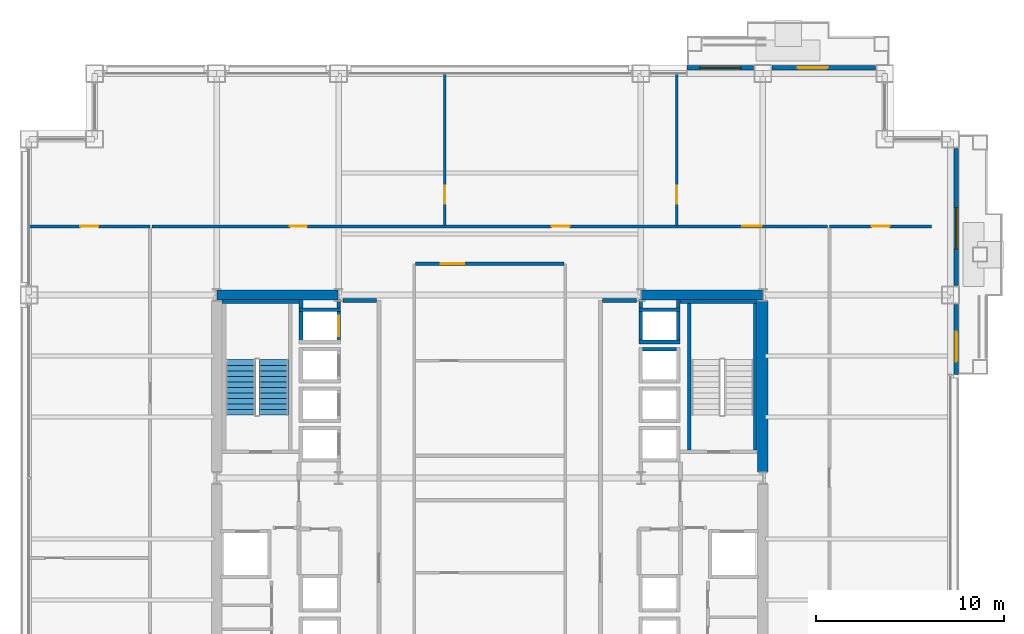
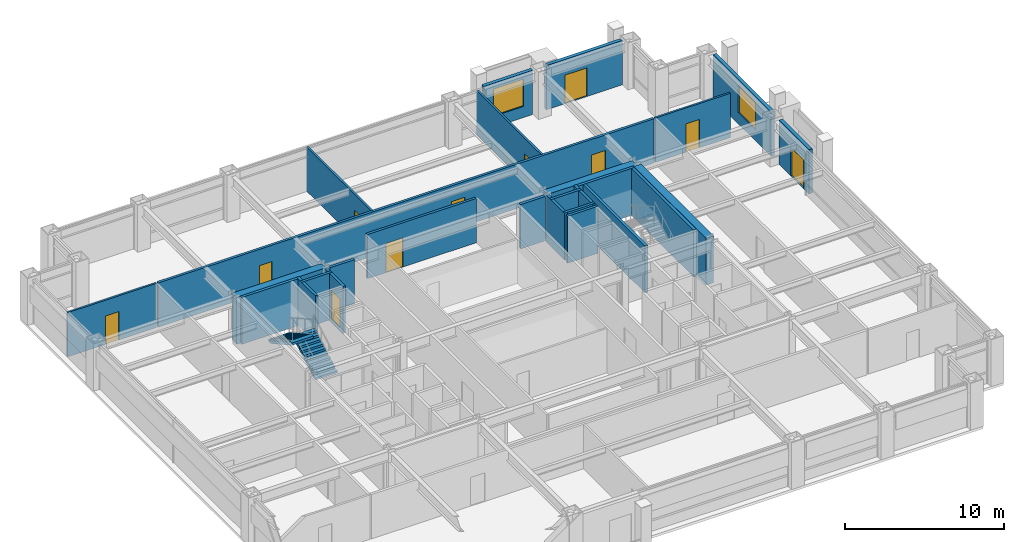
# One storey, part 27 of 31: 27 walls, 11 doors, 2 stair flights, 2 windows, 13 openings, 1 element without a shape of its own.
"""IFC4 building model written with IfcOpenShell, lengths in metres."""

from ifc_helpers import new_model, si_unit, direction, frame, frame_2d, origin, place, context, subcontext, project, spatial, polyline, rectangle, outline, extrude, material, layer, layer_set, type_object, element, fill, aggregate, save


model = new_model("IFC4")

# Units and contexts
model_context = context("Model", 3, precision=1e-05, world=origin(), true_north=direction((0.0, 1.0)))
body_context = subcontext(model_context, "Body", "Model", "MODEL_VIEW")
ifc_project = project(units=[si_unit("LENGTHUNIT", "METRE"), si_unit("AREAUNIT", "SQUARE_METRE"), si_unit("VOLUMEUNIT", "CUBIC_METRE"), si_unit("PLANEANGLEUNIT", "RADIAN"), si_unit("MASSUNIT", "GRAM", prefix="KILO")], contexts=[model_context])

# Site, building, storey
site_placement = place(None, origin())
site = spatial("IfcSite", under=ifc_project, at=site_placement, CompositionType="ELEMENT")
building_placement = place(site_placement, origin())
building = spatial("IfcBuilding", under=site, at=building_placement, Name="Brelmoor Portico Tower", CompositionType="ELEMENT")
storey_placement = place(building_placement, frame((0.0, 0.0, 42.0)))
storey = spatial("IfcBuildingStorey", under=building, at=storey_placement, Name="L10", CompositionType="ELEMENT", Elevation=42.0)

# Walls
ifc_material_1 = material(Name="Concrete C60", Category="concrete")
ifc_layer_1 = layer(ifc_material_1, 0.550048828125)
ifc_layer_set_1 = layer_set([ifc_layer_1], Name="Concrete C60")
wall_type_1 = type_object("IfcWallType", Name="WL-CORE-550", PredefinedType="SHEAR", material=ifc_layer_set_1)
for number, where, z_axis, x_axis, name in (
    (1, (-14.530029296875, 9.75, -0.199951171875), (0.0, 0.0, 1.0), (1.0, 0.0, 0.0), "L10 WC North Shear Wall"),
    (2, (8.070068359375, 9.75, -0.199951171875), (0.0, 0.0, 1.0), (1.0, 0.0, 0.0), "L10 EC North Shear Wall"),
):
    element("IfcWall", number, at=place(storey_placement, frame(where, z_axis=z_axis, x_axis=x_axis)), inside=storey, type_object=wall_type_1, Name=name, PredefinedType="SHEAR", context=body_context, shape_type="SweptSolid", body=[
        extrude(rectangle(XDim=6.4599609375, YDim=0.550048828125, at=frame_2d((3.22998046875, 0.0))), origin(), (0.0, 0.0, 1.0), 3.599853515625),
    ])
wall_1_placement = place(storey_placement, frame((14.550048828125, 0.324951171875, -0.199951171875), z_axis=(0.0, 0.0, 1.0), x_axis=(0.0, 1.0, 0.0)))
element("IfcWall", 3, at=wall_1_placement, inside=storey, type_object=wall_type_1, Name="L10 EC Outer North Shear Wall", PredefinedType="SHEAR", context=body_context, shape_type="SweptSolid", body=[
    extrude(rectangle(XDim=9.10009765625, YDim=0.550048828125, at=frame_2d((4.550048828125, 0.0))), origin(), (0.0, 0.0, 1.0), 3.599853515625),
])

# Wall, opening, window
ifc_material_2 = material(Name="Precast Concrete C40 Insulated Facade Wall", Category="concrete")
ifc_layer_2 = layer(ifc_material_2, 0.25)
ifc_layer_set_2 = layer_set([ifc_layer_2], Name="Precast Concrete C40 Insulated Facade Wall")
wall_type_2 = type_object("IfcWallType", Name="WL-EXT-250", PredefinedType="STANDARD", material=ifc_layer_set_2)
wall_2_placement = place(storey_placement, frame((10.5, 21.860107421875, 0.0), z_axis=(0.0, 0.0, 1.0), x_axis=(1.0, 0.0, 0.0)))
wall_2 = element("IfcWall", 4, at=wall_2_placement, inside=storey, type_object=wall_type_2, Name="L10 Loggia Threshold Wall N-1", PredefinedType="STANDARD", context=body_context, shape_type="SweptSolid", body=[
    extrude(rectangle(XDim=3.554931640625, YDim=0.25, at=frame_2d((1.77734375, 0.0))), origin(), (0.0, 0.0, 1.0), 3.39990234375),
])
opening_1_placement = place(wall_2_placement, frame((0.699951171875, 0.0, 0.85009765625)))
opening_1 = element("IfcOpeningElement", 5, at=opening_1_placement, cuts=wall_2, Name="Opening W-03B", PredefinedType="OPENING", context=body_context, shape_type="SweptSolid", body=[
    extrude(rectangle(XDim=2.199951171875, YDim=2.10009765625, at=frame_2d((1.10009765625, 1.050048828125))), frame((0.0, 0.135009765625, 0.0), z_axis=(0.0, -1.0, 0.0), x_axis=(1.0, 0.0, 0.0)), (0.0, 0.0, 1.0), 0.27001953125),
])
ifc_material_3 = material(Name="Thermally Broken Aluminium Low-E Window", Category="aluminium")
window_type = type_object("IfcWindowType", Name="WN-LOGGIA-2200x2100", PartitioningType="SINGLE_PANEL", PredefinedType="WINDOW", material=ifc_material_3)
window_1_placement = place(opening_1_placement, origin())
window_1 = element("IfcWindow", 6, at=window_1_placement, inside=storey, type_object=window_type, Name="L10 Loggia Window N", OverallHeight=2.10009765625, OverallWidth=2.199951171875, PartitioningType="SINGLE_PANEL", PredefinedType="WINDOW", context=body_context, shape_type="SweptSolid", body=[
    extrude(rectangle(XDim=2.199951171875, YDim=2.10009765625, at=frame_2d((1.10009765625, 1.050048828125))), frame((0.0, 0.030029296875, 0.0), z_axis=(0.0, -1.0, 0.0), x_axis=(1.0, 0.0, 0.0)), (0.0, 0.0, 1.0), 0.06005859375),
])
fill(opening_1, window_1)

# Wall, opening, door
wall_3_placement = place(storey_placement, frame((15.044921875, 21.860107421875, 0.0), z_axis=(0.0, 0.0, 1.0), x_axis=(1.0, 0.0, 0.0)))
wall_3 = element("IfcWall", 7, at=wall_3_placement, inside=storey, type_object=wall_type_2, Name="L10 Loggia Threshold Wall N-2", PredefinedType="STANDARD", context=body_context, shape_type="SweptSolid", body=[
    extrude(rectangle(XDim=5.510009765625, YDim=0.25, at=frame_2d((2.7548828125, 0.0))), origin(), (0.0, 0.0, 1.0), 3.39990234375),
])
opening_2_placement = place(wall_3_placement, frame((1.35498046875, 0.0, 0.0)))
opening_2 = element("IfcOpeningElement", 8, at=opening_2_placement, cuts=wall_3, Name="Opening D-TB1", PredefinedType="OPENING", context=body_context, shape_type="SweptSolid", body=[
    extrude(rectangle(XDim=1.60009765625, YDim=2.199951171875, at=frame_2d((0.800048828125, 1.10009765625))), frame((0.0, 0.135009765625, 0.0), z_axis=(0.0, -1.0, 0.0), x_axis=(1.0, 0.0, 0.0)), (0.0, 0.0, 1.0), 0.27001953125),
])
ifc_material_4 = material(Name="Double-Leaf Thermally Broken Terrace Door", Category="aluminium")
door_type_1 = type_object("IfcDoorType", Name="DR-BALCONY-1600", OperationType="NOTDEFINED", PredefinedType="DOOR", material=ifc_material_4)
door_1_placement = place(opening_2_placement, origin())
door_1 = element("IfcDoor", 9, at=door_1_placement, inside=storey, type_object=door_type_1, Name="D-0466 L10 Tree Balcony Double Door N", OperationType="DOUBLE_DOOR_SINGLE_SWING", OverallHeight=2.199951171875, OverallWidth=1.60009765625, PredefinedType="DOOR", context=body_context, shape_type="SweptSolid", body=[
    extrude(rectangle(XDim=1.60009765625, YDim=2.199951171875, at=frame_2d((0.800048828125, 1.10009765625))), frame((0.0, 0.02490234375, 0.0), z_axis=(0.0, -1.0, 0.0), x_axis=(1.0, 0.0, 0.0)), (0.0, 0.0, 1.0), 0.050048828125),
])
fill(opening_2, door_1)

wall_4_placement = place(storey_placement, frame((24.860107421875, 5.5, 0.0), z_axis=(0.0, 0.0, 1.0), x_axis=(0.0, 1.0, 0.0)))
wall_4 = element("IfcWall", 10, at=wall_4_placement, inside=storey, type_object=wall_type_2, Name="L10 Loggia Threshold Wall E-1", PredefinedType="STANDARD", context=body_context, shape_type="SweptSolid", body=[
    extrude(rectangle(XDim=3.7548828125, YDim=0.25, at=frame_2d((1.87744140625, 0.0))), origin(), (0.0, 0.0, 1.0), 3.39990234375),
])
opening_3_placement = place(wall_4_placement, frame((0.699951171875, 0.0, 0.0)))
opening_3 = element("IfcOpeningElement", 11, at=opening_3_placement, cuts=wall_4, Name="Opening D-TB1", PredefinedType="OPENING", context=body_context, shape_type="SweptSolid", body=[
    extrude(rectangle(XDim=1.60009765625, YDim=2.199951171875, at=frame_2d((0.800048828125, 1.10009765625))), frame((0.0, 0.135009765625, 0.0), z_axis=(0.0, -1.0, 0.0), x_axis=(1.0, 0.0, 0.0)), (0.0, 0.0, 1.0), 0.27001953125),
])
door_2_placement = place(opening_3_placement, origin())
door_2 = element("IfcDoor", 12, at=door_2_placement, inside=storey, type_object=door_type_1, Name="D-0465 L10 Tree Balcony Double Door E", OperationType="DOUBLE_DOOR_SINGLE_SWING", OverallHeight=2.199951171875, OverallWidth=1.60009765625, PredefinedType="DOOR", context=body_context, shape_type="SweptSolid", body=[
    extrude(rectangle(XDim=1.60009765625, YDim=2.199951171875, at=frame_2d((0.800048828125, 1.10009765625))), frame((0.0, 0.02490234375, 0.0), z_axis=(0.0, -1.0, 0.0), x_axis=(1.0, 0.0, 0.0)), (0.0, 0.0, 1.0), 0.050048828125),
])
fill(opening_3, door_2)

# Wall, opening, window
wall_5_placement = place(storey_placement, frame((24.860107421875, 10.2451171875, 0.0), z_axis=(0.0, 0.0, 1.0), x_axis=(0.0, 1.0, 0.0)))
wall_5 = element("IfcWall", 13, at=wall_5_placement, inside=storey, type_object=wall_type_2, Name="L10 Loggia Threshold Wall E-2", PredefinedType="STANDARD", context=body_context, shape_type="SweptSolid", body=[
    extrude(rectangle(XDim=7.309814453125, YDim=0.25, at=frame_2d((3.65478515625, 0.0))), origin(), (0.0, 0.0, 1.0), 3.39990234375),
])
opening_4_placement = place(wall_5_placement, frame((1.955078125, 0.0, 0.85009765625)))
opening_4 = element("IfcOpeningElement", 14, at=opening_4_placement, cuts=wall_5, Name="Opening W-03B", PredefinedType="OPENING", context=body_context, shape_type="SweptSolid", body=[
    extrude(rectangle(XDim=2.199951171875, YDim=2.10009765625, at=frame_2d((1.10009765625, 1.050048828125))), frame((0.0, 0.135009765625, 0.0), z_axis=(0.0, -1.0, 0.0), x_axis=(1.0, 0.0, 0.0)), (0.0, 0.0, 1.0), 0.27001953125),
])
window_2_placement = place(opening_4_placement, origin())
window_2 = element("IfcWindow", 15, at=window_2_placement, inside=storey, type_object=window_type, Name="L10 Loggia Window E", OverallHeight=2.10009765625, OverallWidth=2.199951171875, PartitioningType="SINGLE_PANEL", PredefinedType="WINDOW", context=body_context, shape_type="SweptSolid", body=[
    extrude(rectangle(XDim=2.199951171875, YDim=2.10009765625, at=frame_2d((1.10009765625, 1.050048828125))), frame((0.0, 0.030029296875, 0.0), z_axis=(0.0, -1.0, 0.0), x_axis=(1.0, 0.0, 0.0)), (0.0, 0.0, 1.0), 0.06005859375),
])
fill(opening_4, window_2)

# Wall, opening, door
ifc_material_5 = material(Name="Insulated Stud Suite Partition", Category="gypsum")
ifc_layer_3 = layer(ifc_material_5, 0.139892578125)
ifc_layer_set_3 = layer_set([ifc_layer_3], Name="Insulated Stud Suite Partition")
wall_type_3 = type_object("IfcWallType", Name="WL-PART-140", PredefinedType="PARTITIONING", material=ifc_layer_set_3)
wall_6_placement = place(storey_placement, frame((-2.38916015625, 13.4599609375, 0.0), z_axis=(0.0, 0.0, 1.0), x_axis=(0.0, 1.0, 0.0)))
wall_6 = element("IfcWall", 16, at=wall_6_placement, inside=storey, type_object=wall_type_3, Name="L10 North Suite Partition 1", PredefinedType="PARTITIONING", context=body_context, shape_type="SweptSolid", body=[
    extrude(rectangle(XDim=8.10009765625, YDim=0.139892578125, at=frame_2d((4.050048828125, 0.0))), origin(), (0.0, 0.0, 1.0), 3.39990234375),
])
opening_5_placement = place(wall_6_placement, frame((1.14990234375, 0.0, 0.0)))
opening_5 = element("IfcOpeningElement", 17, at=opening_5_placement, cuts=wall_6, Name="Opening D-IN2", PredefinedType="OPENING", context=body_context, shape_type="SweptSolid", body=[
    extrude(rectangle(XDim=0.9599609375, YDim=2.179931640625, at=frame_2d((0.47998046875, 1.08984375))), frame((0.0, 0.079833984375, 0.0), z_axis=(0.0, -1.0, 0.0), x_axis=(1.0, 0.0, 0.0)), (0.0, 0.0, 1.0), 0.159912109375),
])
ifc_material_6 = material(Name="Lacquered Timber Suite Door", Category="wood")
door_type_2 = type_object("IfcDoorType", Name="DR-INT-950", OperationType="NOTDEFINED", PredefinedType="DOOR", material=ifc_material_6)
door_3_placement = place(opening_5_placement, origin())
door_3 = element("IfcDoor", 18, at=door_3_placement, inside=storey, type_object=door_type_2, Name="D-0454 L10 North Suite Connecting Door 1", OperationType="SINGLE_SWING_RIGHT", OverallHeight=2.179931640625, OverallWidth=0.9599609375, PredefinedType="DOOR", context=body_context, shape_type="SweptSolid", body=[
    extrude(rectangle(XDim=0.9599609375, YDim=2.179931640625, at=frame_2d((0.47998046875, 1.08984375))), frame((0.0, 0.02490234375, 0.0), z_axis=(0.0, -1.0, 0.0), x_axis=(1.0, 0.0, 0.0)), (0.0, 0.0, 1.0), 0.050048828125),
])
fill(opening_5, door_3)

wall_7_placement = place(storey_placement, frame((9.955078125, 13.4599609375, 0.0), z_axis=(0.0, 0.0, 1.0), x_axis=(0.0, 1.0, 0.0)))
wall_7 = element("IfcWall", 19, at=wall_7_placement, inside=storey, type_object=wall_type_3, Name="L10 North Suite Partition 2", PredefinedType="PARTITIONING", context=body_context, shape_type="SweptSolid", body=[
    extrude(rectangle(XDim=8.10009765625, YDim=0.139892578125, at=frame_2d((4.050048828125, 0.0))), origin(), (0.0, 0.0, 1.0), 3.39990234375),
])
opening_6_placement = place(wall_7_placement, frame((1.14990234375, 0.0, 0.0)))
opening_6 = element("IfcOpeningElement", 20, at=opening_6_placement, cuts=wall_7, Name="Opening D-IN2", PredefinedType="OPENING", context=body_context, shape_type="SweptSolid", body=[
    extrude(rectangle(XDim=0.9599609375, YDim=2.179931640625, at=frame_2d((0.47998046875, 1.08984375))), frame((0.0, 0.079833984375, 0.0), z_axis=(0.0, -1.0, 0.0), x_axis=(1.0, 0.0, 0.0)), (0.0, 0.0, 1.0), 0.159912109375),
])
door_4_placement = place(opening_6_placement, origin())
door_4 = element("IfcDoor", 21, at=door_4_placement, inside=storey, type_object=door_type_2, Name="D-0455 L10 North Suite Connecting Door 2", OperationType="SINGLE_SWING_LEFT", OverallHeight=2.179931640625, OverallWidth=0.9599609375, PredefinedType="DOOR", context=body_context, shape_type="SweptSolid", body=[
    extrude(rectangle(XDim=0.9599609375, YDim=2.179931640625, at=frame_2d((0.47998046875, 1.08984375))), frame((0.0, 0.02490234375, 0.0), z_axis=(0.0, -1.0, 0.0), x_axis=(1.0, 0.0, 0.0)), (0.0, 0.0, 1.0), 0.050048828125),
])
fill(opening_6, door_4)

wall_8_placement = place(storey_placement, frame((-24.56005859375, 13.39990234375, 0.0), z_axis=(0.0, 0.0, 1.0), x_axis=(1.0, 0.0, 0.0)))
wall_8 = element("IfcWall", 22, at=wall_8_placement, inside=storey, type_object=wall_type_3, Name="L10 North Outer Closure WL", PredefinedType="PARTITIONING", context=body_context, shape_type="SweptSolid", body=[
    extrude(rectangle(XDim=6.4599609375, YDim=0.139892578125, at=frame_2d((3.22998046875, 0.0))), origin(), (0.0, 0.0, 1.0), 3.39990234375),
])
opening_7_placement = place(wall_8_placement, frame((2.75, 0.0, 0.0)))
opening_7 = element("IfcOpeningElement", 23, at=opening_7_placement, cuts=wall_8, Name="Opening D-IN2", PredefinedType="OPENING", context=body_context, shape_type="SweptSolid", body=[
    extrude(rectangle(XDim=0.9599609375, YDim=2.179931640625, at=frame_2d((0.47998046875, 1.08984375))), frame((0.0, 0.079833984375, 0.0), z_axis=(0.0, -1.0, 0.0), x_axis=(1.0, 0.0, 0.0)), (0.0, 0.0, 1.0), 0.159912109375),
])
door_5_placement = place(opening_7_placement, origin())
door_5 = element("IfcDoor", 24, at=door_5_placement, inside=storey, type_object=door_type_2, Name="D-0457 L10 WL North Corner Suite Door", OperationType="SINGLE_SWING_LEFT", OverallHeight=2.179931640625, OverallWidth=0.9599609375, PredefinedType="DOOR", context=body_context, shape_type="SweptSolid", body=[
    extrude(rectangle(XDim=0.9599609375, YDim=2.179931640625, at=frame_2d((0.47998046875, 1.08984375))), frame((0.0, 0.02490234375, 0.0), z_axis=(0.0, -1.0, 0.0), x_axis=(1.0, 0.0, 0.0)), (0.0, 0.0, 1.0), 0.050048828125),
])
fill(opening_7, door_5)

wall_9_placement = place(storey_placement, frame((18.10009765625, 13.39990234375, 0.0), z_axis=(0.0, 0.0, 1.0), x_axis=(1.0, 0.0, 0.0)))
wall_9 = element("IfcWall", 25, at=wall_9_placement, inside=storey, type_object=wall_type_3, Name="L10 North Outer Closure ER", PredefinedType="PARTITIONING", context=body_context, shape_type="SweptSolid", body=[
    extrude(rectangle(XDim=5.449951171875, YDim=0.139892578125, at=frame_2d((2.72509765625, 0.0))), origin(), (0.0, 0.0, 1.0), 3.39990234375),
])
opening_8_placement = place(wall_9_placement, frame((2.2451171875, 0.0, 0.0)))
opening_8 = element("IfcOpeningElement", 26, at=opening_8_placement, cuts=wall_9, Name="Opening D-IN2", PredefinedType="OPENING", context=body_context, shape_type="SweptSolid", body=[
    extrude(rectangle(XDim=0.9599609375, YDim=2.179931640625, at=frame_2d((0.47998046875, 1.08984375))), frame((0.0, 0.079833984375, 0.0), z_axis=(0.0, -1.0, 0.0), x_axis=(1.0, 0.0, 0.0)), (0.0, 0.0, 1.0), 0.159912109375),
])
door_6_placement = place(opening_8_placement, origin())
door_6 = element("IfcDoor", 27, at=door_6_placement, inside=storey, type_object=door_type_2, Name="D-0456 L10 ER North Corner Suite Door", OperationType="SINGLE_SWING_RIGHT", OverallHeight=2.179931640625, OverallWidth=0.9599609375, PredefinedType="DOOR", context=body_context, shape_type="SweptSolid", body=[
    extrude(rectangle(XDim=0.9599609375, YDim=2.179931640625, at=frame_2d((0.47998046875, 1.08984375))), frame((0.0, 0.02490234375, 0.0), z_axis=(0.0, -1.0, 0.0), x_axis=(1.0, 0.0, 0.0)), (0.0, 0.0, 1.0), 0.050048828125),
])
fill(opening_8, door_6)

ifc_material_7 = material(Name="Acoustic Corridor Fire Partition", Category="gypsum")
ifc_layer_4 = layer(ifc_material_7, 0.179931640625)
ifc_layer_set_4 = layer_set([ifc_layer_4], Name="Acoustic Corridor Fire Partition")
wall_type_4 = type_object("IfcWallType", Name="WL-PART-180", PredefinedType="PARTITIONING", material=ifc_layer_set_4)
wall_10_placement = place(storey_placement, frame((-3.949951171875, 11.419921875, 0.0), z_axis=(0.0, 0.0, 1.0), x_axis=(1.0, 0.0, 0.0)))
wall_10 = element("IfcWall", 28, at=wall_10_placement, inside=storey, type_object=wall_type_4, Name="L10 Central Meeting Corridor Wall", PredefinedType="PARTITIONING", context=body_context, shape_type="SweptSolid", body=[
    extrude(rectangle(XDim=7.89990234375, YDim=0.179931640625, at=frame_2d((3.949951171875, 0.0))), origin(), (0.0, 0.0, 1.0), 3.39990234375),
])
opening_9_placement = place(wall_10_placement, frame((1.35009765625, 0.0, 0.0)))
opening_9 = element("IfcOpeningElement", 29, at=opening_9_placement, cuts=wall_10, Name="Opening D-SU1", PredefinedType="OPENING", context=body_context, shape_type="SweptSolid", body=[
    extrude(rectangle(XDim=1.239990234375, YDim=2.239990234375, at=frame_2d((0.6201171875, 1.1201171875))), frame((0.0, 0.099853515625, 0.0), z_axis=(0.0, -1.0, 0.0), x_axis=(1.0, 0.0, 0.0)), (0.0, 0.0, 1.0), 0.199951171875),
])
ifc_material_8 = material(Name="Glazed Timber Executive Suite Door", Category="wood")
door_type_3 = type_object("IfcDoorType", Name="DR-SUITE-1200", OperationType="NOTDEFINED", PredefinedType="DOOR", material=ifc_material_8)
door_7_placement = place(opening_9_placement, origin())
door_7 = element("IfcDoor", 30, at=door_7_placement, inside=storey, type_object=door_type_3, Name="D-0434 L10 Client Meeting Room Door", OperationType="SINGLE_SWING_RIGHT", OverallHeight=2.239990234375, OverallWidth=1.239990234375, PredefinedType="DOOR", context=body_context, shape_type="SweptSolid", body=[
    extrude(rectangle(XDim=1.239990234375, YDim=2.239990234375, at=frame_2d((0.6201171875, 1.1201171875))), frame((0.0, 0.02490234375, 0.0), z_axis=(0.0, -1.0, 0.0), x_axis=(1.0, 0.0, 0.0)), (0.0, 0.0, 1.0), 0.050048828125),
])
fill(opening_9, door_7)

# Wall, openings, doors
wall_11_placement = place(storey_placement, frame((-18.0, 13.39990234375, 0.0), z_axis=(0.0, 0.0, 1.0), x_axis=(1.0, 0.0, 0.0)))
wall_11 = element("IfcWall", 31, at=wall_11_placement, inside=storey, type_object=wall_type_4, Name="L10 North Corridor Partition", PredefinedType="PARTITIONING", context=body_context, shape_type="SweptSolid", body=[
    extrude(rectangle(XDim=36.0, YDim=0.179931640625, at=frame_2d((18.0, 0.0))), origin(), (0.0, 0.0, 1.0), 3.39990234375),
])
opening_10_placement = place(wall_11_placement, frame((7.35546875, 0.0, 0.0)))
opening_10 = element("IfcOpeningElement", 32, at=opening_10_placement, cuts=wall_11, Name="Opening D-IN1", PredefinedType="OPENING", context=body_context, shape_type="SweptSolid", body=[
    extrude(rectangle(XDim=0.89990234375, YDim=2.14990234375, at=frame_2d((0.449951171875, 1.074951171875))), frame((0.0, 0.099853515625, 0.0), z_axis=(0.0, -1.0, 0.0), x_axis=(1.0, 0.0, 0.0)), (0.0, 0.0, 1.0), 0.199951171875),
])
opening_11_placement = place(wall_11_placement, frame((21.302978515625, 0.0, 0.0)))
opening_11 = element("IfcOpeningElement", 33, at=opening_11_placement, cuts=wall_11, Name="Opening D-IN2", PredefinedType="OPENING", context=body_context, shape_type="SweptSolid", body=[
    extrude(rectangle(XDim=0.9599609375, YDim=2.179931640625, at=frame_2d((0.47998046875, 1.08984375))), frame((0.0, 0.099853515625, 0.0), z_axis=(0.0, -1.0, 0.0), x_axis=(1.0, 0.0, 0.0)), (0.0, 0.0, 1.0), 0.199951171875),
])
opening_12_placement = place(wall_11_placement, frame((31.467529296875, 0.0, 0.0)))
opening_12 = element("IfcOpeningElement", 34, at=opening_12_placement, cuts=wall_11, Name="Opening D-OF1", PredefinedType="OPENING", context=body_context, shape_type="SweptSolid", body=[
    extrude(rectangle(XDim=1.02001953125, YDim=2.199951171875, at=frame_2d((0.510009765625, 1.10009765625))), frame((0.0, 0.099853515625, 0.0), z_axis=(0.0, -1.0, 0.0), x_axis=(1.0, 0.0, 0.0)), (0.0, 0.0, 1.0), 0.199951171875),
])
door_type_4 = type_object("IfcDoorType", Name="DR-INT-900", OperationType="NOTDEFINED", PredefinedType="DOOR", material=ifc_material_6)
door_8_placement = place(opening_10_placement, origin())
door_8 = element("IfcDoor", 35, at=door_8_placement, inside=storey, type_object=door_type_4, Name="D-0451 L10 North Design Research Library 1 Door", OperationType="SINGLE_SWING_RIGHT", OverallHeight=2.14990234375, OverallWidth=0.89990234375, PredefinedType="DOOR", context=body_context, shape_type="SweptSolid", body=[
    extrude(rectangle(XDim=0.89990234375, YDim=2.14990234375, at=frame_2d((0.449951171875, 1.074951171875))), frame((0.0, 0.02490234375, 0.0), z_axis=(0.0, -1.0, 0.0), x_axis=(1.0, 0.0, 0.0)), (0.0, 0.0, 1.0), 0.050048828125),
])
fill(opening_10, door_8)
door_9_placement = place(opening_11_placement, origin())
door_9 = element("IfcDoor", 36, at=door_9_placement, inside=storey, type_object=door_type_2, Name="D-0452 L10 North Quiet Reading Study 2 Door", OperationType="SINGLE_SWING_LEFT", OverallHeight=2.179931640625, OverallWidth=0.9599609375, PredefinedType="DOOR", context=body_context, shape_type="SweptSolid", body=[
    extrude(rectangle(XDim=0.9599609375, YDim=2.179931640625, at=frame_2d((0.47998046875, 1.08984375))), frame((0.0, 0.02490234375, 0.0), z_axis=(0.0, -1.0, 0.0), x_axis=(1.0, 0.0, 0.0)), (0.0, 0.0, 1.0), 0.050048828125),
])
fill(opening_11, door_9)
ifc_material_9 = material(Name="Hardwood Acoustic Veneer Door", Category="wood")
door_type_5 = type_object("IfcDoorType", Name="DR-OFFICE-1000", OperationType="NOTDEFINED", PredefinedType="DOOR", material=ifc_material_9)
door_10_placement = place(opening_12_placement, origin())
door_10 = element("IfcDoor", 37, at=door_10_placement, inside=storey, type_object=door_type_5, Name="D-0453 L10 North Open-Plan Office 3 Door", OperationType="SINGLE_SWING_RIGHT", OverallHeight=2.199951171875, OverallWidth=1.02001953125, PredefinedType="DOOR", context=body_context, shape_type="SweptSolid", body=[
    extrude(rectangle(XDim=1.02001953125, YDim=2.199951171875, at=frame_2d((0.510009765625, 1.10009765625))), frame((0.0, 0.02490234375, 0.0), z_axis=(0.0, -1.0, 0.0), x_axis=(1.0, 0.0, 0.0)), (0.0, 0.0, 1.0), 0.050048828125),
])
fill(opening_12, door_10)

# Walls
ifc_material_10 = material(Name="Double-Stud Gypsum Fire Partition", Category="gypsum")
ifc_layer_5 = layer(ifc_material_10, 0.199951171875)
ifc_layer_set_5 = layer_set([ifc_layer_5], Name="Double-Stud Gypsum Fire Partition")
wall_type_5 = type_object("IfcWallType", Name="WL-PART-200", PredefinedType="PARTITIONING", material=ifc_layer_set_5)
for number, where, z_axis, x_axis, name in (
    (38, (-6.02001953125, 9.449951171875, 0.0), (0.0, 0.0, 1.0), (-1.0, 0.0, 0.0), "L10 W Lift Lobby North End Wall"),
    (39, (6.02001953125, 9.449951171875, 0.0), (0.0, 0.0, 1.0), (1.0, 0.0, 0.0), "L10 E Lift Lobby North End Wall"),
):
    element("IfcWall", number, at=place(storey_placement, frame(where, z_axis=z_axis, x_axis=x_axis)), inside=storey, type_object=wall_type_5, Name=name, PredefinedType="PARTITIONING", context=body_context, shape_type="SweptSolid", body=[
        extrude(rectangle(XDim=1.800048828125, YDim=0.199951171875, at=frame_2d((0.89990234375, 0.0))), origin(), (0.0, 0.0, 1.0), 3.39990234375),
    ])

# Wall, opening, door
ifc_material_11 = material(Name="Precast Concrete C40", Category="concrete")
ifc_layer_6 = layer(ifc_material_11, 0.18994140625)
ifc_layer_set_6 = layer_set([ifc_layer_6], Name="Precast Concrete C40")
wall_type_6 = type_object("IfcWallType", Name="WL-SHAFT-180", PredefinedType="SOLIDWALL", material=ifc_layer_set_6)
wall_12_placement = place(storey_placement, frame((-8.044921875, 7.14990234375, -0.199951171875), z_axis=(0.0, 0.0, 1.0), x_axis=(0.0, 1.0, 0.0)))
wall_12 = element("IfcWall", 40, at=wall_12_placement, inside=storey, type_object=wall_type_6, Name="L10 Lift PL4 Hoistway Front Wall", PredefinedType="SOLIDWALL", context=body_context, shape_type="SweptSolid", body=[
    extrude(rectangle(XDim=2.3701171875, YDim=0.18994140625, at=frame_2d((1.18505859375, 0.0))), origin(), (0.0, 0.0, 1.0), 3.599853515625),
])
opening_13_placement = place(wall_12_placement, frame((0.39990234375, 0.0, 0.199951171875)))
opening_13 = element("IfcOpeningElement", 41, at=opening_13_placement, cuts=wall_12, Name="Opening LD-01", PredefinedType="OPENING", context=body_context, shape_type="SweptSolid", body=[
    extrude(rectangle(XDim=1.10009765625, YDim=2.199951171875, at=frame_2d((0.550048828125, 1.10009765625))), frame((0.0, 0.10498046875, 0.0), z_axis=(0.0, -1.0, 0.0), x_axis=(1.0, 0.0, 0.0)), (0.0, 0.0, 1.0), 0.2099609375),
])
ifc_material_12 = material(Name="Brushed Stainless Steel Sliding Lift Door", Category="steel")
door_type_6 = type_object("IfcDoorType", Name="DR-LIFT-1100", OperationType="NOTDEFINED", PredefinedType="DOOR", material=ifc_material_12)
door_11_placement = place(opening_13_placement, origin())
door_11 = element("IfcDoor", 42, at=door_11_placement, inside=storey, type_object=door_type_6, Name="D-0477 L10 Lift PL4 Sliding Landing Door", OperationType="SLIDING_TO_LEFT", OverallHeight=2.199951171875, OverallWidth=1.10009765625, PredefinedType="DOOR", context=body_context, shape_type="SweptSolid", body=[
    extrude(rectangle(XDim=1.10009765625, YDim=2.199951171875, at=frame_2d((0.550048828125, 1.10009765625))), frame((0.0, 0.02490234375, 0.0), z_axis=(0.0, -1.0, 0.0), x_axis=(1.0, 0.0, 0.0)), (0.0, 0.0, 1.0), 0.050048828125),
])
fill(opening_13, door_11)

# Walls
wall_13_placement = place(storey_placement, frame((-10.054931640625, 7.14990234375, -0.199951171875), z_axis=(0.0, 0.0, 1.0), x_axis=(0.0, 1.0, 0.0)))
element("IfcWall", 43, at=wall_13_placement, inside=storey, type_object=wall_type_6, Name="L10 Lift PL4 Hoistway Back Wall", PredefinedType="SOLIDWALL", context=body_context, shape_type="SweptSolid", body=[
    extrude(rectangle(XDim=2.3701171875, YDim=0.18994140625, at=frame_2d((1.18505859375, 0.0))), origin(), (0.0, 0.0, 1.0), 3.599853515625),
])
for number, where, z_axis, x_axis, name in (
    (44, (-10.14990234375, 8.955078125, -0.199951171875), (0.0, 0.0, 1.0), (1.0, 0.0, 0.0), "L10 Lift PL4 Hoistway North Wall"),
    (45, (7.949951171875, 6.85498046875, -0.199951171875), (0.0, 0.0, 1.0), (1.0, 0.0, 0.0), "L10 Lift PM3 Hoistway North Wall"),
):
    element("IfcWall", number, at=place(storey_placement, frame(where, z_axis=z_axis, x_axis=x_axis)), inside=storey, type_object=wall_type_6, Name=name, PredefinedType="SOLIDWALL", context=body_context, shape_type="SweptSolid", body=[
        extrude(rectangle(XDim=2.199951171875, YDim=0.18994140625, at=frame_2d((1.10009765625, 0.0))), origin(), (0.0, 0.0, 1.0), 3.599853515625),
    ])
for number, where, z_axis, x_axis, name in (
    (46, (8.044921875, 7.14990234375, -0.199951171875), (0.0, 0.0, 1.0), (0.0, 1.0, 0.0), "L10 Lift PM4 Hoistway Front Wall"),
    (47, (10.054931640625, 7.14990234375, -0.199951171875), (0.0, 0.0, 1.0), (0.0, 1.0, 0.0), "L10 Lift PM4 Hoistway Back Wall"),
):
    element("IfcWall", number, at=place(storey_placement, frame(where, z_axis=z_axis, x_axis=x_axis)), inside=storey, type_object=wall_type_6, Name=name, PredefinedType="SOLIDWALL", context=body_context, shape_type="SweptSolid", body=[
        extrude(rectangle(XDim=2.3701171875, YDim=0.18994140625, at=frame_2d((1.18505859375, 0.0))), origin(), (0.0, 0.0, 1.0), 3.599853515625),
    ])
for number, where, z_axis, x_axis, name in (
    (48, (7.949951171875, 8.955078125, -0.199951171875), (0.0, 0.0, 1.0), (1.0, 0.0, 0.0), "L10 Lift PM4 Hoistway North Wall"),
    (49, (7.949951171875, 7.2451171875, -0.199951171875), (0.0, 0.0, 1.0), (1.0, 0.0, 0.0), "L10 Lift PM4 Hoistway South Wall"),
):
    element("IfcWall", number, at=place(storey_placement, frame(where, z_axis=z_axis, x_axis=x_axis)), inside=storey, type_object=wall_type_6, Name=name, PredefinedType="SOLIDWALL", context=body_context, shape_type="SweptSolid", body=[
        extrude(rectangle(XDim=2.199951171875, YDim=0.18994140625, at=frame_2d((1.10009765625, 0.0))), origin(), (0.0, 0.0, 1.0), 3.599853515625),
    ])
ifc_material_13 = material(Name="Concrete C40", Category="concrete")
ifc_layer_7 = layer(ifc_material_13, 0.199951171875)
ifc_layer_set_7 = layer_set([ifc_layer_7], Name="Concrete C40")
wall_type_7 = type_object("IfcWallType", Name="WL-SHAFT-RC200", PredefinedType="SOLIDWALL", material=ifc_layer_set_7)
wall_14_placement = place(storey_placement, frame((14.14990234375, 1.5, -0.199951171875), z_axis=(0.0, 0.0, 1.0), x_axis=(0.0, 1.0, 0.0)))
element("IfcWall", 50, at=wall_14_placement, inside=storey, type_object=wall_type_7, Name="L10 ST-E Structural Stair Wall Outer", PredefinedType="SOLIDWALL", context=body_context, shape_type="SweptSolid", body=[
    extrude(rectangle(XDim=7.800048828125, YDim=0.199951171875, at=frame_2d((3.89990234375, 0.0))), origin(), (0.0, 0.0, 1.0), 3.599853515625),
])
for number, where, z_axis, x_axis, name in (
    (51, (-14.25, 9.39990234375, -0.199951171875), (0.0, 0.0, 1.0), (1.0, 0.0, 0.0), "L10 ST-W Structural Stair Wall N"),
    (52, (10.14990234375, 9.39990234375, -0.199951171875), (0.0, 0.0, 1.0), (1.0, 0.0, 0.0), "L10 ST-E Structural Stair Wall N"),
):
    element("IfcWall", number, at=place(storey_placement, frame(where, z_axis=z_axis, x_axis=x_axis)), inside=storey, type_object=wall_type_7, Name=name, PredefinedType="SOLIDWALL", context=body_context, shape_type="SweptSolid", body=[
        extrude(rectangle(XDim=4.10009765625, YDim=0.199951171875, at=frame_2d((2.050048828125, 0.0))), origin(), (0.0, 0.0, 1.0), 3.599853515625),
    ])
wall_15_placement = place(storey_placement, frame((10.6298828125, 1.5, -0.199951171875), z_axis=(0.0, 0.0, 1.0), x_axis=(0.0, 1.0, 0.0)))
element("IfcWall", 53, at=wall_15_placement, inside=storey, type_object=wall_type_7, Name="L10 ST-E Structural Stair Wall Inner", PredefinedType="SOLIDWALL", context=body_context, shape_type="SweptSolid", body=[
    extrude(rectangle(XDim=7.800048828125, YDim=0.199951171875, at=frame_2d((3.89990234375, 0.0))), origin(), (0.0, 0.0, 1.0), 3.599853515625),
])

# Stair, stair flights
stair_type = type_object("IfcStairType", Name="ST-CORE-W", PredefinedType="HALF_TURN_STAIR", material=ifc_material_13)
stair_placement = place(storey_placement, origin())
stair = element("IfcStair", 54, at=stair_placement, inside=storey, type_object=stair_type, Name="L10 Protected Core Exit Stair ST-W", PredefinedType="HALF_TURN_STAIR")
stair_flight_type = type_object("IfcStairFlightType", Name="SF-CORE-1850", PredefinedType="STRAIGHT", material=ifc_material_13)
stair_flight_1_placement = place(storey_placement, frame((-11.510009765625, 3.35009765625, 0.0), z_axis=(0.0, 0.0, 1.0), x_axis=(0.0, 1.0, 0.0)))
stair_flight_1 = element("IfcStairFlight", 55, at=stair_flight_1_placement, type_object=stair_flight_type, Name="ST-W flight 1", NumberOfRisers=11, NumberOfTreads=10, PredefinedType="STRAIGHT", RiserHeight=0.163636364, TreadLength=0.295, context=body_context, shape_type="SweptSolid", body=[
    extrude(outline(polyline([(0.0, 0.0), (0.0, 0.16357421875), (0.294921875, 0.16357421875), (0.294921875, 0.327392578125), (0.590087890625, 0.327392578125), (0.590087890625, 0.490966796875), (0.885009765625, 0.490966796875), (0.885009765625, 0.654541015625), (1.179931640625, 0.654541015625), (1.179931640625, 0.818115234375), (1.47509765625, 0.818115234375), (1.47509765625, 0.98193359375), (1.77001953125, 0.98193359375), (1.77001953125, 1.1455078125), (2.06494140625, 1.1455078125), (2.06494140625, 1.30908203125), (2.360107421875, 1.30908203125), (2.360107421875, 1.47265625), (2.655029296875, 1.47265625), (2.655029296875, 1.636474609375), (2.949951171875, 1.636474609375), (2.949951171875, 1.800048828125), (2.949951171875, 1.46484375), (0.30908203125, 0.0), (0.0, 0.0)])), frame((0.0, 0.780029296875, 0.0), z_axis=(0.0, -1.0, 0.0), x_axis=(1.0, 0.0, 0.0)), (0.0, 0.0, 1.0), 1.56005859375),
])
stair_flight_2_placement = place(storey_placement, frame((-13.27001953125, 6.300048828125, 1.800048828125), z_axis=(0.0, 0.0, 1.0), x_axis=(0.0, -1.0, 0.0)))
stair_flight_2 = element("IfcStairFlight", 56, at=stair_flight_2_placement, type_object=stair_flight_type, Name="ST-W flight 2", NumberOfRisers=11, NumberOfTreads=10, PredefinedType="STRAIGHT", RiserHeight=0.163636364, TreadLength=0.295, context=body_context, shape_type="SweptSolid", body=[
    extrude(outline(polyline([(0.0, 0.0), (0.0, 0.16357421875), (0.294921875, 0.16357421875), (0.294921875, 0.327392578125), (0.590087890625, 0.327392578125), (0.590087890625, 0.490966796875), (0.885009765625, 0.490966796875), (0.885009765625, 0.654541015625), (1.179931640625, 0.654541015625), (1.179931640625, 0.818115234375), (1.47509765625, 0.818115234375), (1.47509765625, 0.98193359375), (1.77001953125, 0.98193359375), (1.77001953125, 1.1455078125), (2.06494140625, 1.1455078125), (2.06494140625, 1.30908203125), (2.360107421875, 1.30908203125), (2.360107421875, 1.47265625), (2.655029296875, 1.47265625), (2.655029296875, 1.636474609375), (2.949951171875, 1.636474609375), (2.949951171875, 1.800048828125), (2.949951171875, 1.46484375), (0.30908203125, 0.0), (0.0, 0.0)])), frame((0.0, 0.780029296875, 0.0), z_axis=(0.0, -1.0, 0.0), x_axis=(1.0, 0.0, 0.0)), (0.0, 0.0, 1.0), 1.56005859375),
])
aggregate(stair, [stair_flight_1, stair_flight_2])

save(model, "model.ifc")
